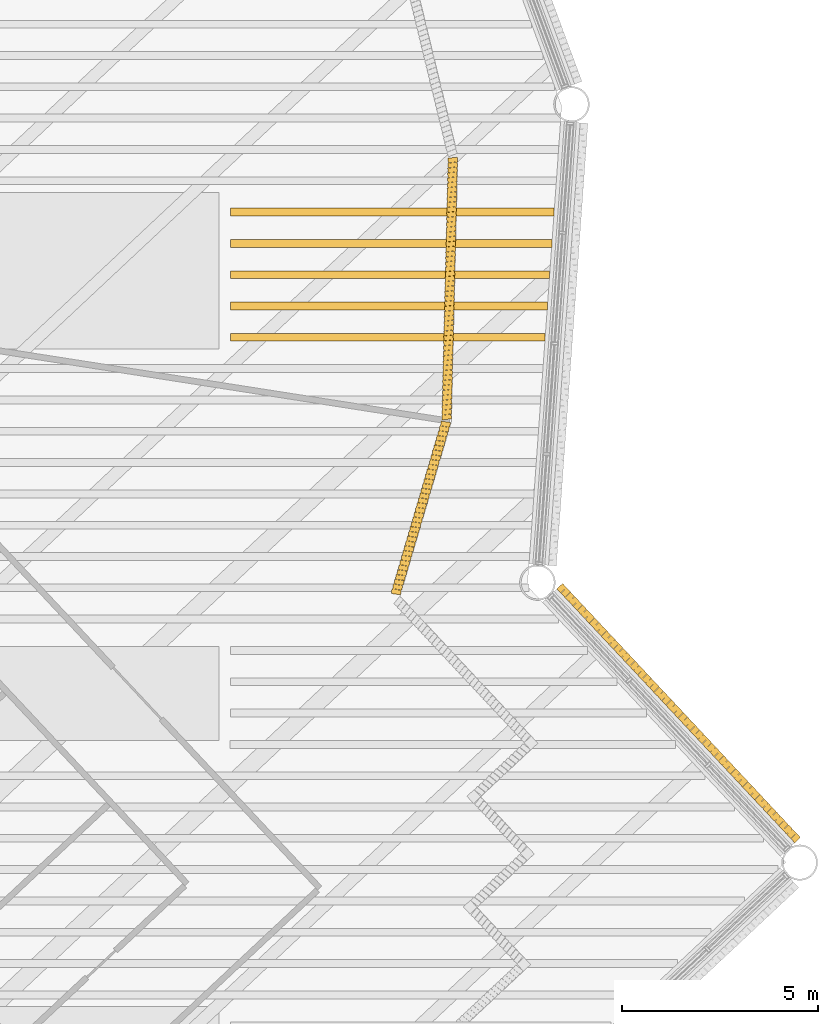
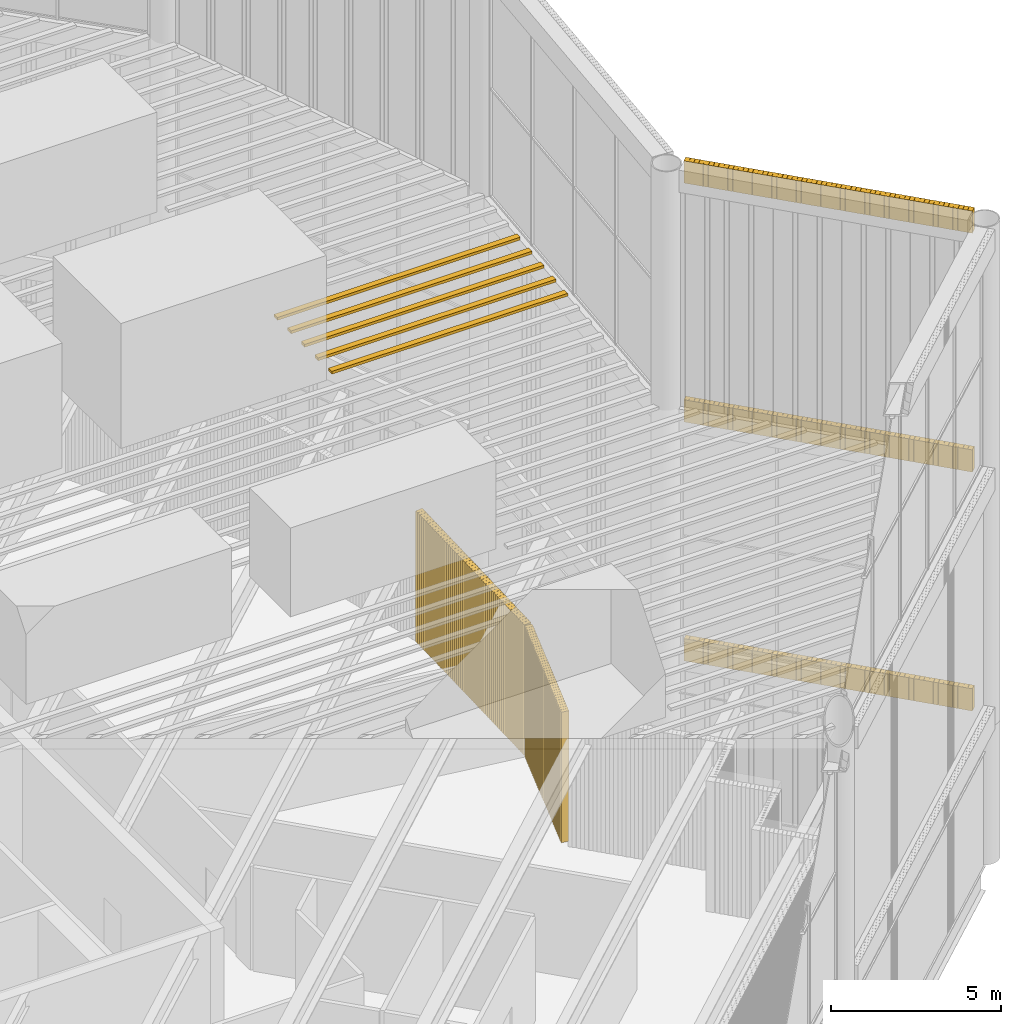
# One storey, part 111 of 117: 7 shading devices, 3 coverings.
"""IFC4 building model written with IfcOpenShell, lengths in metres."""

import ifcopenshell
import ifcopenshell.guid

model = None  # the IFC model being written
_history = None  # IfcOwnerHistory: only IFC2X3 demands one
_inside = {}  # id of a spatial element -> (the spatial element, [elements in it])
_under = {}  # id of a project, library or spatial element -> (it, [spatial elements below it])
_declared = {}  # id of a project -> (the project, [libraries it declares])
_typed = {}  # id of a type object -> (the type object, [elements of that type])
_made_of = {}  # id of a material, layer set ... -> (it, [elements and type objects made of it])


def new_model(schema):
    """Start an empty IFC model of exactly this schema.

    Asked for "IFC4X3", IfcOpenShell would pick the latest addendum, in which some entities
    have other attributes; the version numbers below select the first issue.
    IFC2X3 requires an IfcOwnerHistory on every rooted entity: one is made here for all.
    """
    global model, _history
    if schema == "IFC4X3":
        model = ifcopenshell.file(schema_version=(4, 3, 0, 0))
    else:
        model = ifcopenshell.file(schema=schema)
    _inside.clear()
    _under.clear()
    _declared.clear()
    _typed.clear()
    _made_of.clear()
    _history = None
    if model.schema == "IFC2X3":
        org = make("IfcOrganization", Name="unknown")
        user = make(
            "IfcPersonAndOrganization",
            ThePerson=make("IfcPerson", FamilyName="unknown"),
            TheOrganization=org,
        )
        app = make(
            "IfcApplication",
            ApplicationDeveloper=org,
            Version="unknown",
            ApplicationFullName="unknown",
            ApplicationIdentifier="unknown",
        )
        _history = make(
            "IfcOwnerHistory",
            OwningUser=user,
            OwningApplication=app,
            ChangeAction="ADDED",
            CreationDate=0,
        )
    return model


def make(cls, **values):
    """One entity of the class cls with the attributes given. An attribute that is None is left unset."""
    return model.create_entity(
        cls, **{name: value for name, value in values.items() if value is not None}
    )


def rooted(cls, **values):
    """An entity with a GlobalId (a new one), such as an element, a storey or a relation."""
    return make(cls, GlobalId=ifcopenshell.guid.new(), OwnerHistory=_history, **values)


def si_unit(unit_type, name, prefix=None):
    """IfcSIUnit, for example si_unit("LENGTHUNIT", "METRE", prefix="MILLI")."""
    return make("IfcSIUnit", UnitType=unit_type, Prefix=prefix, Name=name)


def assignment(units):
    """IfcUnitAssignment: the units of a project."""
    return None if units is None else make("IfcUnitAssignment", Units=units)


def point(xyz):
    """IfcCartesianPoint."""
    return None if xyz is None else make("IfcCartesianPoint", Coordinates=xyz)


def direction(xyz):
    """IfcDirection."""
    return None if xyz is None else make("IfcDirection", DirectionRatios=xyz)


def frame(location, z_axis=None, x_axis=None):
    """IfcAxis2Placement3D, a coordinate frame: its origin and axes. An axis left out is left unset."""
    return make(
        "IfcAxis2Placement3D",
        Location=point(location),
        Axis=direction(z_axis),
        RefDirection=direction(x_axis),
    )


def frame_2d(location, x_axis=None):
    """IfcAxis2Placement2D, a coordinate frame in the plane: its origin and x axis."""
    return make(
        "IfcAxis2Placement2D", Location=point(location), RefDirection=direction(x_axis)
    )


def origin():
    """The frame at (0, 0, 0) with its axes left unset."""
    return frame((0.0, 0.0, 0.0))


def origin_2d():
    """The frame at (0, 0) in the plane with its x axis left unset."""
    return frame_2d((0.0, 0.0))


def place(relative_to, where):
    """IfcLocalPlacement: puts the frame where relative to a parent placement (None: the world)."""
    return make(
        "IfcLocalPlacement", PlacementRelTo=relative_to, RelativePlacement=where
    )


def context(
    kind, dimensions, precision=None, world=None, true_north=None, identifier=None
):
    """IfcGeometricRepresentationContext, for example the 3D "Model" context."""
    return make(
        "IfcGeometricRepresentationContext",
        ContextIdentifier=identifier,
        ContextType=kind,
        CoordinateSpaceDimension=dimensions,
        Precision=precision,
        WorldCoordinateSystem=world,
        TrueNorth=true_north,
    )


def subcontext(parent, identifier, kind, view, scale=None):
    """IfcGeometricRepresentationSubContext, for example "Body" below "Model"."""
    return make(
        "IfcGeometricRepresentationSubContext",
        ContextIdentifier=identifier,
        ContextType=kind,
        ParentContext=parent,
        TargetScale=scale,
        TargetView=view,
    )


def project(units=None, contexts=None):
    """IfcProject with its units and contexts."""
    return rooted(
        "IfcProject",
        Name="project",
        RepresentationContexts=contexts,
        UnitsInContext=assignment(units),
    )


def spatial(cls, under=None, at=None, **own):
    """A site, building, storey or space (cls), placed at a placement, below another one or the project."""
    s = rooted(cls, ObjectPlacement=at, **own)
    if under is not None:
        _under.setdefault(under.id(), (under, []))[1].append(s)
    return s


def profile(cls, at=None, kind="AREA", **sizes):
    """A parametric profile (cls). Its sizes go by their IFC names, for example OverallWidth=200.0."""
    return make(cls, ProfileType=kind, Position=at, **sizes)


def rectangle(**sizes):
    """IfcRectangleProfileDef."""
    return profile("IfcRectangleProfileDef", **sizes)


def composite_profile(profiles, kind="AREA"):
    """IfcCompositeProfileDef: several profiles as one."""
    return make("IfcCompositeProfileDef", ProfileType=kind, Profiles=profiles)


def extrude(swept, where, along, depth):
    """IfcExtrudedAreaSolid: the profile swept, set in the frame where, extruded along a direction by depth."""
    return make(
        "IfcExtrudedAreaSolid",
        SweptArea=swept,
        Position=where,
        ExtrudedDirection=direction(along),
        Depth=depth,
    )


def shape(context_of_items, identifier, shape_type, items):
    """IfcShapeRepresentation: the items that make up one representation, for example the "Body"."""
    return make(
        "IfcShapeRepresentation",
        ContextOfItems=context_of_items,
        RepresentationIdentifier=identifier,
        RepresentationType=shape_type,
        Items=items,
    )


def material(Name=None, Category=None):
    """IfcMaterial."""
    return make("IfcMaterial", Name=Name, Category=Category)


def made_of(thing, what):
    """Note that an element or type object is made of a material, layer set ...; save() writes the relation."""
    if what is not None:
        _made_of.setdefault(what.id(), (what, []))[1].append(thing)
    return thing


def type_object(cls, material=None, **own):
    """A type object (cls), such as IfcWallType, which elements share."""
    return made_of(rooted(cls, **own), material)


def element(
    cls,
    number,
    at=None,
    inside=None,
    cuts=None,
    type_object=None,
    material=None,
    context=None,
    identifier="Body",
    shape_type=None,
    held_by="IfcProductDefinitionShape",
    body=None,
    shapes=None,
    **own,
):
    """One element of the class cls, such as IfcWall. Its Tag is "e" and its number.

    at: its placement. inside: the storey or other place that contains it. cuts: it is an
    opening in that element (IfcRelVoidsElement). A single representation is given by context,
    identifier, shape_type and body (its items); several are given by shapes. held_by: the class
    of the entity that holds the representations. save() writes the other relations.
    """
    e = rooted(cls, Tag="e%d" % number, ObjectPlacement=at, **own)
    if body is not None:
        shapes = [shape(context, identifier, shape_type, body)]
    if shapes is not None:
        e.Representation = make(held_by, Representations=shapes)
    if inside is not None:
        _inside.setdefault(inside.id(), (inside, []))[1].append(e)
    if cuts is not None:
        rooted(
            "IfcRelVoidsElement", RelatingBuildingElement=cuts, RelatedOpeningElement=e
        )
    if type_object is not None:
        _typed.setdefault(type_object.id(), (type_object, []))[1].append(e)
    return made_of(e, material)


def aggregate(whole, parts):
    """IfcRelAggregates: a whole, such as a stair, and the parts it consists of."""
    return rooted("IfcRelAggregates", RelatingObject=whole, RelatedObjects=parts)


def save(model, path):
    """Write the relations noted so far, then the file.

    IfcRelAggregates (storeys below a building ...), IfcRelContainedInSpatialStructure (elements
    in a storey), IfcRelDefinesByType, IfcRelAssociatesMaterial and IfcRelDeclares: one each for
    every whole, place, type object, material and project.
    """
    for whole, parts in _under.values():
        aggregate(whole, parts)
    for where, things in _inside.values():
        rooted(
            "IfcRelContainedInSpatialStructure",
            RelatedElements=things,
            RelatingStructure=where,
        )
    for kind, things in _typed.values():
        rooted("IfcRelDefinesByType", RelatedObjects=things, RelatingType=kind)
    for what, things in _made_of.values():
        rooted("IfcRelAssociatesMaterial", RelatedObjects=things, RelatingMaterial=what)
    for by, libraries in _declared.values():
        rooted("IfcRelDeclares", RelatingContext=by, RelatedDefinitions=libraries)
    model.write(path)


model = new_model("IFC4")

# Units and contexts
model_context = context("Model", 3, precision=1e-05, world=origin(), true_north=direction((0.0, 1.0)))
body_context = subcontext(model_context, "Body", "Model", "MODEL_VIEW")
ifc_project = project(units=[si_unit("LENGTHUNIT", "METRE"), si_unit("AREAUNIT", "SQUARE_METRE"), si_unit("VOLUMEUNIT", "CUBIC_METRE"), si_unit("PLANEANGLEUNIT", "RADIAN"), si_unit("MASSUNIT", "GRAM", prefix="KILO")], contexts=[model_context])

# Site, building, storey
site_placement = place(None, origin())
site = spatial("IfcSite", under=ifc_project, at=site_placement, CompositionType="ELEMENT")
building_placement = place(site_placement, origin())
building = spatial("IfcBuilding", under=site, at=building_placement, Name="Tarsis Ring Headquarters", CompositionType="ELEMENT")
storey_placement = place(building_placement, frame((0.0, 0.0, 403.60009765625)))
storey = spatial("IfcBuildingStorey", under=building, at=storey_placement, Name="L95", CompositionType="ELEMENT", Elevation=403.60009765625)

# Coverings
ifc_material_1 = material(Name="Terracotta louvre", Category="masonry")
covering_type = type_object("IfcCoveringType", Name="Crown louvre fin", PredefinedType="CLADDING", material=ifc_material_1)
covering_1_placement = place(storey_placement, frame((34.53271484375, -14.71240234375, 5.0), z_axis=(0.0, 0.0, 1.0), x_axis=(-0.683518233743, 0.729926405975, 0.0)))
element("IfcCovering", 1, at=covering_1_placement, inside=storey, type_object=covering_type, Name="Crown louvre fascia R5", PredefinedType="CLADDING", context=body_context, shape_type="SweptSolid", body=[
    extrude(composite_profile([rectangle(XDim=0.14501953125, YDim=0.199951171875, at=frame_2d((0.072509765625, 0.0))), rectangle(XDim=0.14501953125, YDim=0.199951171875, at=frame_2d((0.223388671875, 0.0))), rectangle(XDim=0.14501953125, YDim=0.199951171875, at=frame_2d((0.3740234375, 0.0))), rectangle(XDim=0.14501953125, YDim=0.199951171875, at=frame_2d((0.52490234375, 0.0))), rectangle(XDim=0.14501953125, YDim=0.199951171875, at=frame_2d((0.675537109375, 0.0))), rectangle(XDim=0.14501953125, YDim=0.199951171875, at=frame_2d((0.826416015625, 0.0))), rectangle(XDim=0.14501953125, YDim=0.199951171875, at=frame_2d((0.977294921875, 0.0))), rectangle(XDim=0.14501953125, YDim=0.199951171875, at=frame_2d((1.1279296875, 0.0))), rectangle(XDim=0.14501953125, YDim=0.199951171875, at=frame_2d((1.27880859375, 0.0))), rectangle(XDim=0.14501953125, YDim=0.199951171875, at=frame_2d((1.4296875, 0.0))), rectangle(XDim=0.14501953125, YDim=0.199951171875, at=frame_2d((1.580322265625, 0.0))), rectangle(XDim=0.14501953125, YDim=0.199951171875, at=frame_2d((1.731201171875, 0.0))), rectangle(XDim=0.14501953125, YDim=0.199951171875, at=frame_2d((1.8818359375, 0.0))), rectangle(XDim=0.14501953125, YDim=0.199951171875, at=frame_2d((2.03271484375, 0.0))), rectangle(XDim=0.14501953125, YDim=0.199951171875, at=frame_2d((2.18359375, 0.0))), rectangle(XDim=0.14501953125, YDim=0.199951171875, at=frame_2d((2.334228515625, 0.0))), rectangle(XDim=0.14501953125, YDim=0.199951171875, at=frame_2d((2.485107421875, 0.0))), rectangle(XDim=0.14501953125, YDim=0.199951171875, at=frame_2d((2.635986328125, 0.0))), rectangle(XDim=0.14501953125, YDim=0.199951171875, at=frame_2d((2.78662109375, 0.0))), rectangle(XDim=0.14501953125, YDim=0.199951171875, at=frame_2d((2.9375, 0.0))), rectangle(XDim=0.14501953125, YDim=0.199951171875, at=frame_2d((3.088134765625, 0.0))), rectangle(XDim=0.14501953125, YDim=0.199951171875, at=frame_2d((3.239013671875, 0.0))), rectangle(XDim=0.14501953125, YDim=0.199951171875, at=frame_2d((3.389892578125, 0.0))), rectangle(XDim=0.14501953125, YDim=0.199951171875, at=frame_2d((3.54052734375, 0.0))), rectangle(XDim=0.14501953125, YDim=0.199951171875, at=frame_2d((3.69140625, 0.0))), rectangle(XDim=0.14501953125, YDim=0.199951171875, at=frame_2d((3.84228515625, 0.0))), rectangle(XDim=0.14501953125, YDim=0.199951171875, at=frame_2d((3.992919921875, 0.0))), rectangle(XDim=0.14501953125, YDim=0.199951171875, at=frame_2d((4.143798828125, 0.0))), rectangle(XDim=0.14501953125, YDim=0.199951171875, at=frame_2d((4.29443359375, 0.0))), rectangle(XDim=0.14501953125, YDim=0.199951171875, at=frame_2d((4.4453125, 0.0))), rectangle(XDim=0.14501953125, YDim=0.199951171875, at=frame_2d((4.59619140625, 0.0))), rectangle(XDim=0.14501953125, YDim=0.199951171875, at=frame_2d((4.746826171875, 0.0))), rectangle(XDim=0.14501953125, YDim=0.199951171875, at=frame_2d((4.897705078125, 0.0))), rectangle(XDim=0.14501953125, YDim=0.199951171875, at=frame_2d((5.04833984375, 0.0))), rectangle(XDim=0.14501953125, YDim=0.199951171875, at=frame_2d((5.19921875, 0.0))), rectangle(XDim=0.14501953125, YDim=0.199951171875, at=frame_2d((5.35009765625, 0.0))), rectangle(XDim=0.14501953125, YDim=0.199951171875, at=frame_2d((5.500732421875, 0.0))), rectangle(XDim=0.14501953125, YDim=0.199951171875, at=frame_2d((5.651611328125, 0.0))), rectangle(XDim=0.14501953125, YDim=0.199951171875, at=frame_2d((5.802490234375, 0.0))), rectangle(XDim=0.14501953125, YDim=0.199951171875, at=frame_2d((5.953125, 0.0))), rectangle(XDim=0.14501953125, YDim=0.199951171875, at=frame_2d((6.10400390625, 0.0))), rectangle(XDim=0.14501953125, YDim=0.199951171875, at=frame_2d((6.254638671875, 0.0))), rectangle(XDim=0.14501953125, YDim=0.199951171875, at=frame_2d((6.405517578125, 0.0))), rectangle(XDim=0.14501953125, YDim=0.199951171875, at=frame_2d((6.556396484375, 0.0))), rectangle(XDim=0.14501953125, YDim=0.199951171875, at=frame_2d((6.70703125, 0.0))), rectangle(XDim=0.14501953125, YDim=0.199951171875, at=frame_2d((6.85791015625, 0.0))), rectangle(XDim=0.14501953125, YDim=0.199951171875, at=frame_2d((7.0087890625, 0.0))), rectangle(XDim=0.14501953125, YDim=0.199951171875, at=frame_2d((7.159423828125, 0.0))), rectangle(XDim=0.14501953125, YDim=0.199951171875, at=frame_2d((7.310302734375, 0.0))), rectangle(XDim=0.14501953125, YDim=0.199951171875, at=frame_2d((7.4609375, 0.0))), rectangle(XDim=0.14501953125, YDim=0.199951171875, at=frame_2d((7.61181640625, 0.0))), rectangle(XDim=0.14501953125, YDim=0.199951171875, at=frame_2d((7.7626953125, 0.0))), rectangle(XDim=0.14501953125, YDim=0.199951171875, at=frame_2d((7.913330078125, 0.0))), rectangle(XDim=0.14501953125, YDim=0.199951171875, at=frame_2d((8.064208984375, 0.0))), rectangle(XDim=0.14501953125, YDim=0.199951171875, at=frame_2d((8.215087890625, 0.0))), rectangle(XDim=0.14501953125, YDim=0.199951171875, at=frame_2d((8.36572265625, 0.0))), rectangle(XDim=0.14501953125, YDim=0.199951171875, at=frame_2d((8.5166015625, 0.0))), rectangle(XDim=0.14501953125, YDim=0.199951171875, at=frame_2d((8.667236328125, 0.0))), rectangle(XDim=0.14501953125, YDim=0.199951171875, at=frame_2d((8.818115234375, 0.0)))]), origin(), (0.0, 0.0, 1.0), 0.7998046875),
])
covering_2_placement = place(storey_placement, frame((34.53271484375, -14.71240234375, 13.599853515625), z_axis=(0.0, 0.0, 1.0), x_axis=(-0.683518233743, 0.729926405975, 0.0)))
element("IfcCovering", 2, at=covering_2_placement, inside=storey, type_object=covering_type, Name="Crown louvre fascia M5", PredefinedType="CLADDING", context=body_context, shape_type="SweptSolid", body=[
    extrude(composite_profile([rectangle(XDim=0.14501953125, YDim=0.199951171875, at=frame_2d((0.072509765625, 0.0))), rectangle(XDim=0.14501953125, YDim=0.199951171875, at=frame_2d((0.223388671875, 0.0))), rectangle(XDim=0.14501953125, YDim=0.199951171875, at=frame_2d((0.3740234375, 0.0))), rectangle(XDim=0.14501953125, YDim=0.199951171875, at=frame_2d((0.52490234375, 0.0))), rectangle(XDim=0.14501953125, YDim=0.199951171875, at=frame_2d((0.675537109375, 0.0))), rectangle(XDim=0.14501953125, YDim=0.199951171875, at=frame_2d((0.826416015625, 0.0))), rectangle(XDim=0.14501953125, YDim=0.199951171875, at=frame_2d((0.977294921875, 0.0))), rectangle(XDim=0.14501953125, YDim=0.199951171875, at=frame_2d((1.1279296875, 0.0))), rectangle(XDim=0.14501953125, YDim=0.199951171875, at=frame_2d((1.27880859375, 0.0))), rectangle(XDim=0.14501953125, YDim=0.199951171875, at=frame_2d((1.4296875, 0.0))), rectangle(XDim=0.14501953125, YDim=0.199951171875, at=frame_2d((1.580322265625, 0.0))), rectangle(XDim=0.14501953125, YDim=0.199951171875, at=frame_2d((1.731201171875, 0.0))), rectangle(XDim=0.14501953125, YDim=0.199951171875, at=frame_2d((1.8818359375, 0.0))), rectangle(XDim=0.14501953125, YDim=0.199951171875, at=frame_2d((2.03271484375, 0.0))), rectangle(XDim=0.14501953125, YDim=0.199951171875, at=frame_2d((2.18359375, 0.0))), rectangle(XDim=0.14501953125, YDim=0.199951171875, at=frame_2d((2.334228515625, 0.0))), rectangle(XDim=0.14501953125, YDim=0.199951171875, at=frame_2d((2.485107421875, 0.0))), rectangle(XDim=0.14501953125, YDim=0.199951171875, at=frame_2d((2.635986328125, 0.0))), rectangle(XDim=0.14501953125, YDim=0.199951171875, at=frame_2d((2.78662109375, 0.0))), rectangle(XDim=0.14501953125, YDim=0.199951171875, at=frame_2d((2.9375, 0.0))), rectangle(XDim=0.14501953125, YDim=0.199951171875, at=frame_2d((3.088134765625, 0.0))), rectangle(XDim=0.14501953125, YDim=0.199951171875, at=frame_2d((3.239013671875, 0.0))), rectangle(XDim=0.14501953125, YDim=0.199951171875, at=frame_2d((3.389892578125, 0.0))), rectangle(XDim=0.14501953125, YDim=0.199951171875, at=frame_2d((3.54052734375, 0.0))), rectangle(XDim=0.14501953125, YDim=0.199951171875, at=frame_2d((3.69140625, 0.0))), rectangle(XDim=0.14501953125, YDim=0.199951171875, at=frame_2d((3.84228515625, 0.0))), rectangle(XDim=0.14501953125, YDim=0.199951171875, at=frame_2d((3.992919921875, 0.0))), rectangle(XDim=0.14501953125, YDim=0.199951171875, at=frame_2d((4.143798828125, 0.0))), rectangle(XDim=0.14501953125, YDim=0.199951171875, at=frame_2d((4.29443359375, 0.0))), rectangle(XDim=0.14501953125, YDim=0.199951171875, at=frame_2d((4.4453125, 0.0))), rectangle(XDim=0.14501953125, YDim=0.199951171875, at=frame_2d((4.59619140625, 0.0))), rectangle(XDim=0.14501953125, YDim=0.199951171875, at=frame_2d((4.746826171875, 0.0))), rectangle(XDim=0.14501953125, YDim=0.199951171875, at=frame_2d((4.897705078125, 0.0))), rectangle(XDim=0.14501953125, YDim=0.199951171875, at=frame_2d((5.04833984375, 0.0))), rectangle(XDim=0.14501953125, YDim=0.199951171875, at=frame_2d((5.19921875, 0.0))), rectangle(XDim=0.14501953125, YDim=0.199951171875, at=frame_2d((5.35009765625, 0.0))), rectangle(XDim=0.14501953125, YDim=0.199951171875, at=frame_2d((5.500732421875, 0.0))), rectangle(XDim=0.14501953125, YDim=0.199951171875, at=frame_2d((5.651611328125, 0.0))), rectangle(XDim=0.14501953125, YDim=0.199951171875, at=frame_2d((5.802490234375, 0.0))), rectangle(XDim=0.14501953125, YDim=0.199951171875, at=frame_2d((5.953125, 0.0))), rectangle(XDim=0.14501953125, YDim=0.199951171875, at=frame_2d((6.10400390625, 0.0))), rectangle(XDim=0.14501953125, YDim=0.199951171875, at=frame_2d((6.254638671875, 0.0))), rectangle(XDim=0.14501953125, YDim=0.199951171875, at=frame_2d((6.405517578125, 0.0))), rectangle(XDim=0.14501953125, YDim=0.199951171875, at=frame_2d((6.556396484375, 0.0))), rectangle(XDim=0.14501953125, YDim=0.199951171875, at=frame_2d((6.70703125, 0.0))), rectangle(XDim=0.14501953125, YDim=0.199951171875, at=frame_2d((6.85791015625, 0.0))), rectangle(XDim=0.14501953125, YDim=0.199951171875, at=frame_2d((7.0087890625, 0.0))), rectangle(XDim=0.14501953125, YDim=0.199951171875, at=frame_2d((7.159423828125, 0.0))), rectangle(XDim=0.14501953125, YDim=0.199951171875, at=frame_2d((7.310302734375, 0.0))), rectangle(XDim=0.14501953125, YDim=0.199951171875, at=frame_2d((7.4609375, 0.0))), rectangle(XDim=0.14501953125, YDim=0.199951171875, at=frame_2d((7.61181640625, 0.0))), rectangle(XDim=0.14501953125, YDim=0.199951171875, at=frame_2d((7.7626953125, 0.0))), rectangle(XDim=0.14501953125, YDim=0.199951171875, at=frame_2d((7.913330078125, 0.0))), rectangle(XDim=0.14501953125, YDim=0.199951171875, at=frame_2d((8.064208984375, 0.0))), rectangle(XDim=0.14501953125, YDim=0.199951171875, at=frame_2d((8.215087890625, 0.0))), rectangle(XDim=0.14501953125, YDim=0.199951171875, at=frame_2d((8.36572265625, 0.0))), rectangle(XDim=0.14501953125, YDim=0.199951171875, at=frame_2d((8.5166015625, 0.0))), rectangle(XDim=0.14501953125, YDim=0.199951171875, at=frame_2d((8.667236328125, 0.0))), rectangle(XDim=0.14501953125, YDim=0.199951171875, at=frame_2d((8.818115234375, 0.0)))]), origin(), (0.0, 0.0, 1.0), 0.800048828125),
])
covering_3_placement = place(storey_placement, frame((34.53271484375, -14.71240234375, 22.199951171875), z_axis=(0.0, 0.0, 1.0), x_axis=(-0.683518233743, 0.729926405975, 0.0)))
element("IfcCovering", 3, at=covering_3_placement, inside=storey, type_object=covering_type, Name="Crown louvre fascia T5", PredefinedType="CLADDING", context=body_context, shape_type="SweptSolid", body=[
    extrude(composite_profile([rectangle(XDim=0.14501953125, YDim=0.199951171875, at=frame_2d((0.072509765625, 0.0))), rectangle(XDim=0.14501953125, YDim=0.199951171875, at=frame_2d((0.223388671875, 0.0))), rectangle(XDim=0.14501953125, YDim=0.199951171875, at=frame_2d((0.3740234375, 0.0))), rectangle(XDim=0.14501953125, YDim=0.199951171875, at=frame_2d((0.52490234375, 0.0))), rectangle(XDim=0.14501953125, YDim=0.199951171875, at=frame_2d((0.675537109375, 0.0))), rectangle(XDim=0.14501953125, YDim=0.199951171875, at=frame_2d((0.826416015625, 0.0))), rectangle(XDim=0.14501953125, YDim=0.199951171875, at=frame_2d((0.977294921875, 0.0))), rectangle(XDim=0.14501953125, YDim=0.199951171875, at=frame_2d((1.1279296875, 0.0))), rectangle(XDim=0.14501953125, YDim=0.199951171875, at=frame_2d((1.27880859375, 0.0))), rectangle(XDim=0.14501953125, YDim=0.199951171875, at=frame_2d((1.4296875, 0.0))), rectangle(XDim=0.14501953125, YDim=0.199951171875, at=frame_2d((1.580322265625, 0.0))), rectangle(XDim=0.14501953125, YDim=0.199951171875, at=frame_2d((1.731201171875, 0.0))), rectangle(XDim=0.14501953125, YDim=0.199951171875, at=frame_2d((1.8818359375, 0.0))), rectangle(XDim=0.14501953125, YDim=0.199951171875, at=frame_2d((2.03271484375, 0.0))), rectangle(XDim=0.14501953125, YDim=0.199951171875, at=frame_2d((2.18359375, 0.0))), rectangle(XDim=0.14501953125, YDim=0.199951171875, at=frame_2d((2.334228515625, 0.0))), rectangle(XDim=0.14501953125, YDim=0.199951171875, at=frame_2d((2.485107421875, 0.0))), rectangle(XDim=0.14501953125, YDim=0.199951171875, at=frame_2d((2.635986328125, 0.0))), rectangle(XDim=0.14501953125, YDim=0.199951171875, at=frame_2d((2.78662109375, 0.0))), rectangle(XDim=0.14501953125, YDim=0.199951171875, at=frame_2d((2.9375, 0.0))), rectangle(XDim=0.14501953125, YDim=0.199951171875, at=frame_2d((3.088134765625, 0.0))), rectangle(XDim=0.14501953125, YDim=0.199951171875, at=frame_2d((3.239013671875, 0.0))), rectangle(XDim=0.14501953125, YDim=0.199951171875, at=frame_2d((3.389892578125, 0.0))), rectangle(XDim=0.14501953125, YDim=0.199951171875, at=frame_2d((3.54052734375, 0.0))), rectangle(XDim=0.14501953125, YDim=0.199951171875, at=frame_2d((3.69140625, 0.0))), rectangle(XDim=0.14501953125, YDim=0.199951171875, at=frame_2d((3.84228515625, 0.0))), rectangle(XDim=0.14501953125, YDim=0.199951171875, at=frame_2d((3.992919921875, 0.0))), rectangle(XDim=0.14501953125, YDim=0.199951171875, at=frame_2d((4.143798828125, 0.0))), rectangle(XDim=0.14501953125, YDim=0.199951171875, at=frame_2d((4.29443359375, 0.0))), rectangle(XDim=0.14501953125, YDim=0.199951171875, at=frame_2d((4.4453125, 0.0))), rectangle(XDim=0.14501953125, YDim=0.199951171875, at=frame_2d((4.59619140625, 0.0))), rectangle(XDim=0.14501953125, YDim=0.199951171875, at=frame_2d((4.746826171875, 0.0))), rectangle(XDim=0.14501953125, YDim=0.199951171875, at=frame_2d((4.897705078125, 0.0))), rectangle(XDim=0.14501953125, YDim=0.199951171875, at=frame_2d((5.04833984375, 0.0))), rectangle(XDim=0.14501953125, YDim=0.199951171875, at=frame_2d((5.19921875, 0.0))), rectangle(XDim=0.14501953125, YDim=0.199951171875, at=frame_2d((5.35009765625, 0.0))), rectangle(XDim=0.14501953125, YDim=0.199951171875, at=frame_2d((5.500732421875, 0.0))), rectangle(XDim=0.14501953125, YDim=0.199951171875, at=frame_2d((5.651611328125, 0.0))), rectangle(XDim=0.14501953125, YDim=0.199951171875, at=frame_2d((5.802490234375, 0.0))), rectangle(XDim=0.14501953125, YDim=0.199951171875, at=frame_2d((5.953125, 0.0))), rectangle(XDim=0.14501953125, YDim=0.199951171875, at=frame_2d((6.10400390625, 0.0))), rectangle(XDim=0.14501953125, YDim=0.199951171875, at=frame_2d((6.254638671875, 0.0))), rectangle(XDim=0.14501953125, YDim=0.199951171875, at=frame_2d((6.405517578125, 0.0))), rectangle(XDim=0.14501953125, YDim=0.199951171875, at=frame_2d((6.556396484375, 0.0))), rectangle(XDim=0.14501953125, YDim=0.199951171875, at=frame_2d((6.70703125, 0.0))), rectangle(XDim=0.14501953125, YDim=0.199951171875, at=frame_2d((6.85791015625, 0.0))), rectangle(XDim=0.14501953125, YDim=0.199951171875, at=frame_2d((7.0087890625, 0.0))), rectangle(XDim=0.14501953125, YDim=0.199951171875, at=frame_2d((7.159423828125, 0.0))), rectangle(XDim=0.14501953125, YDim=0.199951171875, at=frame_2d((7.310302734375, 0.0))), rectangle(XDim=0.14501953125, YDim=0.199951171875, at=frame_2d((7.4609375, 0.0))), rectangle(XDim=0.14501953125, YDim=0.199951171875, at=frame_2d((7.61181640625, 0.0))), rectangle(XDim=0.14501953125, YDim=0.199951171875, at=frame_2d((7.7626953125, 0.0))), rectangle(XDim=0.14501953125, YDim=0.199951171875, at=frame_2d((7.913330078125, 0.0))), rectangle(XDim=0.14501953125, YDim=0.199951171875, at=frame_2d((8.064208984375, 0.0))), rectangle(XDim=0.14501953125, YDim=0.199951171875, at=frame_2d((8.215087890625, 0.0))), rectangle(XDim=0.14501953125, YDim=0.199951171875, at=frame_2d((8.36572265625, 0.0))), rectangle(XDim=0.14501953125, YDim=0.199951171875, at=frame_2d((8.5166015625, 0.0))), rectangle(XDim=0.14501953125, YDim=0.199951171875, at=frame_2d((8.667236328125, 0.0))), rectangle(XDim=0.14501953125, YDim=0.199951171875, at=frame_2d((8.818115234375, 0.0)))]), origin(), (0.0, 0.0, 1.0), 0.800048828125),
])

# Shading devices
ifc_material_2 = material(Name="Aluminium louvre", Category="aluminium")
shading_device_type_1 = type_object("IfcShadingDeviceType", Name="Crown roof louvre blade", PredefinedType="USERDEFINED", material=ifc_material_2)
shading_device_1_placement = place(storey_placement, frame((24.06591796875, -1.8642578125, 14.39990234375), z_axis=(0.0, 0.0, 1.0), x_axis=(1.0, 0.0, 0.0)))
element("IfcShadingDevice", 4, at=shading_device_1_placement, inside=storey, type_object=shading_device_type_1, Name="Crown roof louvre 65", ObjectType="Crown roof louvre", PredefinedType="USERDEFINED", context=body_context, shape_type="SweptSolid", body=[
    extrude(rectangle(XDim=8.036376953125, YDim=0.199951171875, at=origin_2d()), origin(), (0.0, 0.0, 1.0), 0.10009765625),
])
shading_device_2_placement = place(storey_placement, frame((24.094482421875, -1.064208984375, 14.39990234375), z_axis=(0.0, 0.0, 1.0), x_axis=(1.0, 0.0, 0.0)))
element("IfcShadingDevice", 5, at=shading_device_2_placement, inside=storey, type_object=shading_device_type_1, Name="Crown roof louvre 67", ObjectType="Crown roof louvre", PredefinedType="USERDEFINED", context=body_context, shape_type="SweptSolid", body=[
    extrude(rectangle(XDim=8.093505859375, YDim=0.199951171875, at=origin_2d()), origin(), (0.0, 0.0, 1.0), 0.10009765625),
])
shading_device_3_placement = place(storey_placement, frame((24.122802734375, -0.26416015625, 14.39990234375), z_axis=(0.0, 0.0, 1.0), x_axis=(1.0, 0.0, 0.0)))
element("IfcShadingDevice", 6, at=shading_device_3_placement, inside=storey, type_object=shading_device_type_1, Name="Crown roof louvre 69", ObjectType="Crown roof louvre", PredefinedType="USERDEFINED", context=body_context, shape_type="SweptSolid", body=[
    extrude(rectangle(XDim=8.150634765625, YDim=0.199951171875, at=origin_2d()), origin(), (0.0, 0.0, 1.0), 0.10009765625),
])
shading_device_4_placement = place(storey_placement, frame((24.1513671875, 0.535888671875, 14.39990234375), z_axis=(0.0, 0.0, 1.0), x_axis=(1.0, 0.0, 0.0)))
element("IfcShadingDevice", 7, at=shading_device_4_placement, inside=storey, type_object=shading_device_type_1, Name="Crown roof louvre 71", ObjectType="Crown roof louvre", PredefinedType="USERDEFINED", context=body_context, shape_type="SweptSolid", body=[
    extrude(rectangle(XDim=8.20751953125, YDim=0.199951171875, at=origin_2d()), origin(), (0.0, 0.0, 1.0), 0.10009765625),
])
shading_device_5_placement = place(storey_placement, frame((24.179931640625, 1.335693359375, 14.39990234375), z_axis=(0.0, 0.0, 1.0), x_axis=(1.0, 0.0, 0.0)))
element("IfcShadingDevice", 8, at=shading_device_5_placement, inside=storey, type_object=shading_device_type_1, Name="Crown roof louvre 73", ObjectType="Crown roof louvre", PredefinedType="USERDEFINED", context=body_context, shape_type="SweptSolid", body=[
    extrude(rectangle(XDim=8.2646484375, YDim=0.199951171875, at=origin_2d()), origin(), (0.0, 0.0, 1.0), 0.10009765625),
])
shading_device_type_2 = type_object("IfcShadingDeviceType", Name="Plant louvre fin", PredefinedType="USERDEFINED", material=ifc_material_2)
shading_device_6_placement = place(storey_placement, frame((24.2568359375, -8.440185546875, 0.0), z_axis=(0.0, 0.0, 1.0), x_axis=(0.281998413957, 0.959397303727, 0.0)))
element("IfcShadingDevice", 9, at=shading_device_6_placement, inside=storey, type_object=shading_device_type_2, Name="Louvre L95-17", ObjectType="Louvre", PredefinedType="USERDEFINED", context=body_context, shape_type="SweptSolid", body=[
    extrude(composite_profile([rectangle(XDim=0.1201171875, YDim=0.239990234375, at=frame_2d((0.076171875, 0.0), x_axis=(0.990268068742, 0.13917310096))), rectangle(XDim=0.1201171875, YDim=0.239990234375, at=frame_2d((0.203857421875, 0.0), x_axis=(0.990268068742, 0.13917310096))), rectangle(XDim=0.1201171875, YDim=0.239990234375, at=frame_2d((0.331298828125, 0.0), x_axis=(0.990268068742, 0.13917310096))), rectangle(XDim=0.1201171875, YDim=0.239990234375, at=frame_2d((0.458984375, 0.0), x_axis=(0.990268068742, 0.13917310096))), rectangle(XDim=0.1201171875, YDim=0.239990234375, at=frame_2d((0.58642578125, 0.0), x_axis=(0.990268068742, 0.13917310096))), rectangle(XDim=0.1201171875, YDim=0.239990234375, at=frame_2d((0.714111328125, 0.0), x_axis=(0.990268068742, 0.13917310096))), rectangle(XDim=0.1201171875, YDim=0.239990234375, at=frame_2d((0.841796875, 0.0), x_axis=(0.990268068742, 0.13917310096))), rectangle(XDim=0.1201171875, YDim=0.239990234375, at=frame_2d((0.96923828125, 0.0), x_axis=(0.990268068742, 0.13917310096))), rectangle(XDim=0.1201171875, YDim=0.239990234375, at=frame_2d((1.096923828125, 0.0), x_axis=(0.990268068742, 0.13917310096))), rectangle(XDim=0.1201171875, YDim=0.239990234375, at=frame_2d((1.224365234375, 0.0), x_axis=(0.990268068742, 0.13917310096))), rectangle(XDim=0.1201171875, YDim=0.239990234375, at=frame_2d((1.35205078125, 0.0), x_axis=(0.990268068742, 0.13917310096))), rectangle(XDim=0.1201171875, YDim=0.239990234375, at=frame_2d((1.479736328125, 0.0), x_axis=(0.990268068742, 0.13917310096))), rectangle(XDim=0.1201171875, YDim=0.239990234375, at=frame_2d((1.607177734375, 0.0), x_axis=(0.990268068742, 0.13917310096))), rectangle(XDim=0.1201171875, YDim=0.239990234375, at=frame_2d((1.73486328125, 0.0), x_axis=(0.990268068742, 0.13917310096))), rectangle(XDim=0.1201171875, YDim=0.239990234375, at=frame_2d((1.8623046875, 0.0), x_axis=(0.990268068742, 0.13917310096))), rectangle(XDim=0.1201171875, YDim=0.239990234375, at=frame_2d((1.989990234375, 0.0), x_axis=(0.990268068742, 0.13917310096))), rectangle(XDim=0.1201171875, YDim=0.239990234375, at=frame_2d((2.11767578125, 0.0), x_axis=(0.990268068742, 0.13917310096))), rectangle(XDim=0.1201171875, YDim=0.239990234375, at=frame_2d((2.2451171875, 0.0), x_axis=(0.990268068742, 0.13917310096))), rectangle(XDim=0.1201171875, YDim=0.239990234375, at=frame_2d((2.372802734375, 0.0), x_axis=(0.990268068742, 0.13917310096))), rectangle(XDim=0.1201171875, YDim=0.239990234375, at=frame_2d((2.500244140625, 0.0), x_axis=(0.990268068742, 0.13917310096))), rectangle(XDim=0.1201171875, YDim=0.239990234375, at=frame_2d((2.6279296875, 0.0), x_axis=(0.990268068742, 0.13917310096))), rectangle(XDim=0.1201171875, YDim=0.239990234375, at=frame_2d((2.755615234375, 0.0), x_axis=(0.990268068742, 0.13917310096))), rectangle(XDim=0.1201171875, YDim=0.239990234375, at=frame_2d((2.883056640625, 0.0), x_axis=(0.990268068742, 0.13917310096))), rectangle(XDim=0.1201171875, YDim=0.239990234375, at=frame_2d((3.0107421875, 0.0), x_axis=(0.990268068742, 0.13917310096))), rectangle(XDim=0.1201171875, YDim=0.239990234375, at=frame_2d((3.13818359375, 0.0), x_axis=(0.990268068742, 0.13917310096))), rectangle(XDim=0.1201171875, YDim=0.239990234375, at=frame_2d((3.265869140625, 0.0), x_axis=(0.990268068742, 0.13917310096))), rectangle(XDim=0.1201171875, YDim=0.239990234375, at=frame_2d((3.3935546875, 0.0), x_axis=(0.990268068742, 0.13917310096))), rectangle(XDim=0.1201171875, YDim=0.239990234375, at=frame_2d((3.52099609375, 0.0), x_axis=(0.990268068742, 0.13917310096))), rectangle(XDim=0.1201171875, YDim=0.239990234375, at=frame_2d((3.648681640625, 0.0), x_axis=(0.990268068742, 0.13917310096))), rectangle(XDim=0.1201171875, YDim=0.239990234375, at=frame_2d((3.776123046875, 0.0), x_axis=(0.990268068742, 0.13917310096))), rectangle(XDim=0.1201171875, YDim=0.239990234375, at=frame_2d((3.90380859375, 0.0), x_axis=(0.990268068742, 0.13917310096))), rectangle(XDim=0.1201171875, YDim=0.239990234375, at=frame_2d((4.031494140625, 0.0), x_axis=(0.990268068742, 0.13917310096))), rectangle(XDim=0.1201171875, YDim=0.239990234375, at=frame_2d((4.158935546875, 0.0), x_axis=(0.990268068742, 0.13917310096))), rectangle(XDim=0.1201171875, YDim=0.239990234375, at=frame_2d((4.28662109375, 0.0), x_axis=(0.990268068742, 0.13917310096))), rectangle(XDim=0.1201171875, YDim=0.239990234375, at=frame_2d((4.4140625, 0.0), x_axis=(0.990268068742, 0.13917310096))), rectangle(XDim=0.1201171875, YDim=0.239990234375, at=frame_2d((4.541748046875, 0.0), x_axis=(0.990268068742, 0.13917310096)))]), origin(), (0.0, 0.0, 1.0), 4.699951171875),
])
shading_device_7_placement = place(storey_placement, frame((25.564208984375, -3.9775390625, 0.0), z_axis=(0.0, 0.0, 1.0), x_axis=(0.02408194399, 0.999709418474, 0.0)))
element("IfcShadingDevice", 10, at=shading_device_7_placement, inside=storey, type_object=shading_device_type_2, Name="Louvre L95-18", ObjectType="Louvre", PredefinedType="USERDEFINED", context=body_context, shape_type="SweptSolid", body=[
    extrude(composite_profile([rectangle(XDim=0.1201171875, YDim=0.239990234375, at=frame_2d((0.076171875, 0.0), x_axis=(0.990268068742, 0.13917310096))), rectangle(XDim=0.1201171875, YDim=0.239990234375, at=frame_2d((0.202392578125, 0.0), x_axis=(0.990268068742, 0.13917310096))), rectangle(XDim=0.1201171875, YDim=0.239990234375, at=frame_2d((0.328857421875, 0.0), x_axis=(0.990268068742, 0.13917310096))), rectangle(XDim=0.1201171875, YDim=0.239990234375, at=frame_2d((0.455078125, 0.0), x_axis=(0.990268068742, 0.13917310096))), rectangle(XDim=0.1201171875, YDim=0.239990234375, at=frame_2d((0.58154296875, 0.0), x_axis=(0.990268068742, 0.13917310096))), rectangle(XDim=0.1201171875, YDim=0.239990234375, at=frame_2d((0.707763671875, 0.0), x_axis=(0.990268068742, 0.13917310096))), rectangle(XDim=0.1201171875, YDim=0.239990234375, at=frame_2d((0.834228515625, 0.0), x_axis=(0.990268068742, 0.13917310096))), rectangle(XDim=0.1201171875, YDim=0.239990234375, at=frame_2d((0.96044921875, 0.0), x_axis=(0.990268068742, 0.13917310096))), rectangle(XDim=0.1201171875, YDim=0.239990234375, at=frame_2d((1.0869140625, 0.0), x_axis=(0.990268068742, 0.13917310096))), rectangle(XDim=0.1201171875, YDim=0.239990234375, at=frame_2d((1.213134765625, 0.0), x_axis=(0.990268068742, 0.13917310096))), rectangle(XDim=0.1201171875, YDim=0.239990234375, at=frame_2d((1.33935546875, 0.0), x_axis=(0.990268068742, 0.13917310096))), rectangle(XDim=0.1201171875, YDim=0.239990234375, at=frame_2d((1.4658203125, 0.0), x_axis=(0.990268068742, 0.13917310096))), rectangle(XDim=0.1201171875, YDim=0.239990234375, at=frame_2d((1.592041015625, 0.0), x_axis=(0.990268068742, 0.13917310096))), rectangle(XDim=0.1201171875, YDim=0.239990234375, at=frame_2d((1.718505859375, 0.0), x_axis=(0.990268068742, 0.13917310096))), rectangle(XDim=0.1201171875, YDim=0.239990234375, at=frame_2d((1.8447265625, 0.0), x_axis=(0.990268068742, 0.13917310096))), rectangle(XDim=0.1201171875, YDim=0.239990234375, at=frame_2d((1.97119140625, 0.0), x_axis=(0.990268068742, 0.13917310096))), rectangle(XDim=0.1201171875, YDim=0.239990234375, at=frame_2d((2.097412109375, 0.0), x_axis=(0.990268068742, 0.13917310096))), rectangle(XDim=0.1201171875, YDim=0.239990234375, at=frame_2d((2.223876953125, 0.0), x_axis=(0.990268068742, 0.13917310096))), rectangle(XDim=0.1201171875, YDim=0.239990234375, at=frame_2d((2.35009765625, 0.0), x_axis=(0.990268068742, 0.13917310096))), rectangle(XDim=0.1201171875, YDim=0.239990234375, at=frame_2d((2.476318359375, 0.0), x_axis=(0.990268068742, 0.13917310096))), rectangle(XDim=0.1201171875, YDim=0.239990234375, at=frame_2d((2.602783203125, 0.0), x_axis=(0.990268068742, 0.13917310096))), rectangle(XDim=0.1201171875, YDim=0.239990234375, at=frame_2d((2.72900390625, 0.0), x_axis=(0.990268068742, 0.13917310096))), rectangle(XDim=0.1201171875, YDim=0.239990234375, at=frame_2d((2.85546875, 0.0), x_axis=(0.990268068742, 0.13917310096))), rectangle(XDim=0.1201171875, YDim=0.239990234375, at=frame_2d((2.981689453125, 0.0), x_axis=(0.990268068742, 0.13917310096))), rectangle(XDim=0.1201171875, YDim=0.239990234375, at=frame_2d((3.108154296875, 0.0), x_axis=(0.990268068742, 0.13917310096))), rectangle(XDim=0.1201171875, YDim=0.239990234375, at=frame_2d((3.234375, 0.0), x_axis=(0.990268068742, 0.13917310096))), rectangle(XDim=0.1201171875, YDim=0.239990234375, at=frame_2d((3.36083984375, 0.0), x_axis=(0.990268068742, 0.13917310096))), rectangle(XDim=0.1201171875, YDim=0.239990234375, at=frame_2d((3.487060546875, 0.0), x_axis=(0.990268068742, 0.13917310096))), rectangle(XDim=0.1201171875, YDim=0.239990234375, at=frame_2d((3.61328125, 0.0), x_axis=(0.990268068742, 0.13917310096))), rectangle(XDim=0.1201171875, YDim=0.239990234375, at=frame_2d((3.73974609375, 0.0), x_axis=(0.990268068742, 0.13917310096))), rectangle(XDim=0.1201171875, YDim=0.239990234375, at=frame_2d((3.865966796875, 0.0), x_axis=(0.990268068742, 0.13917310096))), rectangle(XDim=0.1201171875, YDim=0.239990234375, at=frame_2d((3.992431640625, 0.0), x_axis=(0.990268068742, 0.13917310096))), rectangle(XDim=0.1201171875, YDim=0.239990234375, at=frame_2d((4.11865234375, 0.0), x_axis=(0.990268068742, 0.13917310096))), rectangle(XDim=0.1201171875, YDim=0.239990234375, at=frame_2d((4.2451171875, 0.0), x_axis=(0.990268068742, 0.13917310096))), rectangle(XDim=0.1201171875, YDim=0.239990234375, at=frame_2d((4.371337890625, 0.0), x_axis=(0.990268068742, 0.13917310096))), rectangle(XDim=0.1201171875, YDim=0.239990234375, at=frame_2d((4.49755859375, 0.0), x_axis=(0.990268068742, 0.13917310096))), rectangle(XDim=0.1201171875, YDim=0.239990234375, at=frame_2d((4.6240234375, 0.0), x_axis=(0.990268068742, 0.13917310096))), rectangle(XDim=0.1201171875, YDim=0.239990234375, at=frame_2d((4.750244140625, 0.0), x_axis=(0.990268068742, 0.13917310096))), rectangle(XDim=0.1201171875, YDim=0.239990234375, at=frame_2d((4.876708984375, 0.0), x_axis=(0.990268068742, 0.13917310096))), rectangle(XDim=0.1201171875, YDim=0.239990234375, at=frame_2d((5.0029296875, 0.0), x_axis=(0.990268068742, 0.13917310096))), rectangle(XDim=0.1201171875, YDim=0.239990234375, at=frame_2d((5.12939453125, 0.0), x_axis=(0.990268068742, 0.13917310096))), rectangle(XDim=0.1201171875, YDim=0.239990234375, at=frame_2d((5.255615234375, 0.0), x_axis=(0.990268068742, 0.13917310096))), rectangle(XDim=0.1201171875, YDim=0.239990234375, at=frame_2d((5.382080078125, 0.0), x_axis=(0.990268068742, 0.13917310096))), rectangle(XDim=0.1201171875, YDim=0.239990234375, at=frame_2d((5.50830078125, 0.0), x_axis=(0.990268068742, 0.13917310096))), rectangle(XDim=0.1201171875, YDim=0.239990234375, at=frame_2d((5.634521484375, 0.0), x_axis=(0.990268068742, 0.13917310096))), rectangle(XDim=0.1201171875, YDim=0.239990234375, at=frame_2d((5.760986328125, 0.0), x_axis=(0.990268068742, 0.13917310096))), rectangle(XDim=0.1201171875, YDim=0.239990234375, at=frame_2d((5.88720703125, 0.0), x_axis=(0.990268068742, 0.13917310096))), rectangle(XDim=0.1201171875, YDim=0.239990234375, at=frame_2d((6.013671875, 0.0), x_axis=(0.990268068742, 0.13917310096))), rectangle(XDim=0.1201171875, YDim=0.239990234375, at=frame_2d((6.139892578125, 0.0), x_axis=(0.990268068742, 0.13917310096))), rectangle(XDim=0.1201171875, YDim=0.239990234375, at=frame_2d((6.266357421875, 0.0), x_axis=(0.990268068742, 0.13917310096))), rectangle(XDim=0.1201171875, YDim=0.239990234375, at=frame_2d((6.392578125, 0.0), x_axis=(0.990268068742, 0.13917310096))), rectangle(XDim=0.1201171875, YDim=0.239990234375, at=frame_2d((6.51904296875, 0.0), x_axis=(0.990268068742, 0.13917310096))), rectangle(XDim=0.1201171875, YDim=0.239990234375, at=frame_2d((6.645263671875, 0.0), x_axis=(0.990268068742, 0.13917310096)))]), origin(), (0.0, 0.0, 1.0), 4.699951171875),
])

save(model, "model.ifc")
